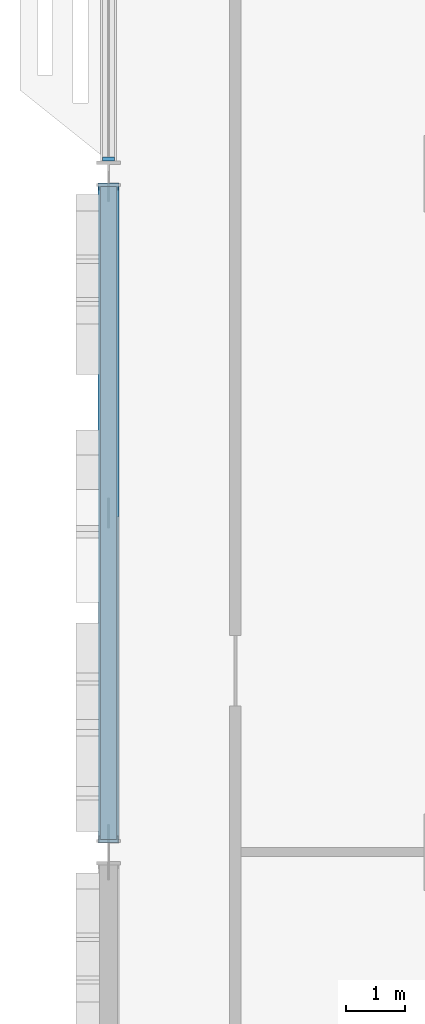
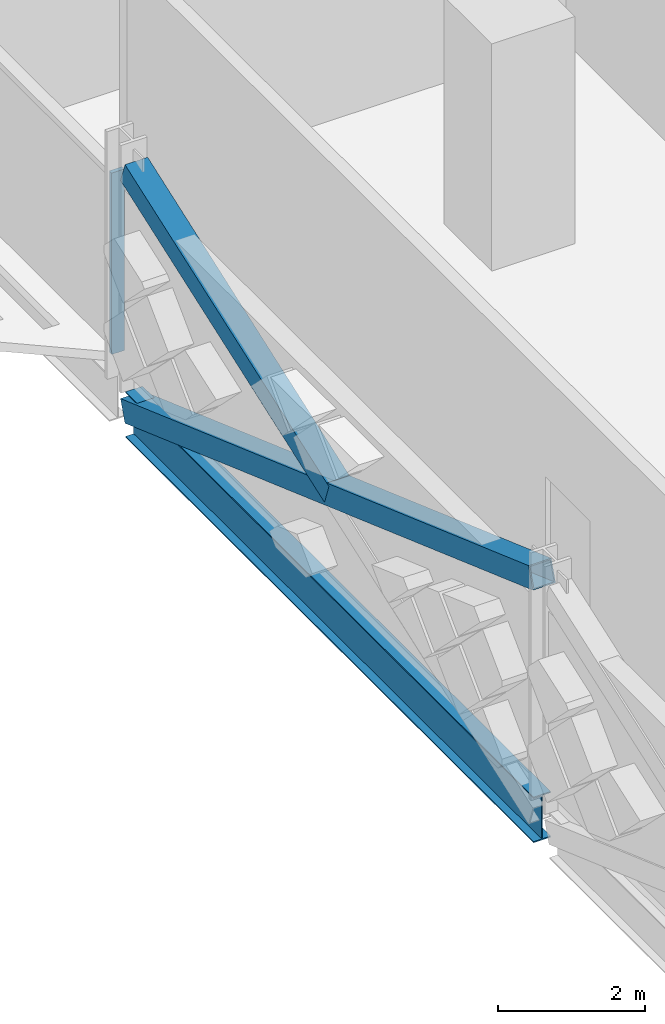
# One storey, part 4 of 29: 3 members, 1 beam, 1 element without a shape of its own.
"""IFC4 building model written with IfcOpenShell, lengths in metres."""

from ifc_helpers import new_model, si_unit, direction, frame, origin, origin_2d, place, context, subcontext, project, spatial, rectangle, hollow_rectangle, i_section, extrude, material, material_profile, profile_set, type_object, element, aggregate, save


model = new_model("IFC4")

# Units and contexts
model_context = context("Model", 3, precision=1e-05, world=origin(), true_north=direction((0.0, 1.0)))
body_context = subcontext(model_context, "Body", "Model", "MODEL_VIEW")
ifc_project = project(units=[si_unit("LENGTHUNIT", "METRE"), si_unit("AREAUNIT", "SQUARE_METRE"), si_unit("VOLUMEUNIT", "CUBIC_METRE"), si_unit("PLANEANGLEUNIT", "RADIAN"), si_unit("MASSUNIT", "GRAM", prefix="KILO")], contexts=[model_context])

# Site, building, storey
site_placement = place(None, origin())
site = spatial("IfcSite", under=ifc_project, at=site_placement, CompositionType="ELEMENT")
building_placement = place(site_placement, origin())
building = spatial("IfcBuilding", under=site, at=building_placement, Name="Mahtab Terrace Research Tower", CompositionType="ELEMENT")
storey_placement = place(building_placement, frame((0.0, 0.0, 146.60009765625)))
storey = spatial("IfcBuildingStorey", under=building, at=storey_placement, Name="L34", CompositionType="ELEMENT", Elevation=146.60009765625)

# Members
ifc_material_1 = material(Name="Steel ASTM A500 Gr C", Category="steel")
ifc_material_profile_1 = material_profile(ifc_material_1, hollow_rectangle(XDim=0.355712890625, YDim=0.355712890625, WallThickness=0.01904296875, at=origin_2d()), Name="HSS14X14X3/4")
ifc_profile_set_1 = profile_set([ifc_material_profile_1], Name="Steel ASTM A500 Gr C")
member_type_1 = type_object("IfcMemberType", Name="HSS 14x14x3/4 brace XB141434", PredefinedType="BRACE", material=ifc_profile_set_1)
member_1_placement = place(storey_placement, frame((-48.0, 11.282958984375, -0.64111328125), z_axis=(0.0, -0.941931707836, 0.335804493379), x_axis=(1.0, 0.0, 0.0)))
element("IfcMember", 1, at=member_1_placement, inside=storey, type_object=member_type_1, Name="Exoskeleton brace L34 11 a", PredefinedType="BRACE", context=body_context, shape_type="SweptSolid", body=[
    extrude(hollow_rectangle(XDim=0.355712890625, YDim=0.355712890625, WallThickness=0.01904296875, at=origin_2d()), origin(), (0.0, 0.0, 1.0), 11.748046875),
])
member_2_placement = place(storey_placement, frame((-48.0, 5.75, 1.33154296875), z_axis=(0.0, 0.941938280918, 0.335786055312), x_axis=(-1.0, 0.0, 0.0)))
element("IfcMember", 2, at=member_2_placement, inside=storey, type_object=member_type_1, Name="Exoskeleton brace L34 11 b2", PredefinedType="BRACE", context=body_context, shape_type="SweptSolid", body=[
    extrude(hollow_rectangle(XDim=0.355712890625, YDim=0.355712890625, WallThickness=0.01904296875, at=origin_2d()), origin(), (0.0, 0.0, 1.0), 5.8740234375),
])

# Curtain wall, member
ifc_material_2 = material(Name="Laboratory ribbon curtain wall")
curtain_wall_type = type_object("IfcCurtainWallType", Name="Laboratory ribbon curtain wall", PredefinedType="NOTDEFINED", material=ifc_material_2)
curtain_wall_placement = place(storey_placement, origin())
curtain_wall = element("IfcCurtainWall", 3, at=curtain_wall_placement, inside=storey, type_object=curtain_wall_type, Name="EN.L34.8.16", PredefinedType="NOTDEFINED")
ifc_material_3 = material(Name="Natural anodised aluminium", Category="aluminium")
ifc_material_profile_2 = material_profile(ifc_material_3, rectangle(XDim=0.199951171875, YDim=0.06494140625, at=origin_2d()), Name="MULLION 65x200")
ifc_profile_set_2 = profile_set([ifc_material_profile_2], Name="Natural anodised aluminium")
member_type_2 = type_object("IfcMemberType", Name="Laboratory ribbon curtain wall mullion", PredefinedType="MULLION", material=ifc_profile_set_2)
member_3_placement = place(storey_placement, frame((-48.0, 11.75048828125, 0.0), z_axis=(0.0, 0.0, 1.0), x_axis=(1.0, 0.0, 0.0)))
member_3 = element("IfcMember", 4, at=member_3_placement, type_object=member_type_2, Name="CWL-4 mullion 2", PredefinedType="MULLION", context=body_context, shape_type="SweptSolid", body=[
    extrude(rectangle(XDim=0.199951171875, YDim=0.06494140625, at=origin_2d()), origin(), (0.0, 0.0, 1.0), 3.0029296875),
])
aggregate(curtain_wall, [member_3])

# Beam
ifc_material_4 = material(Name="Steel ASTM A992 Gr 50", Category="steel")
ifc_material_profile_3 = material_profile(ifc_material_4, i_section(OverallWidth=0.2666015625, OverallDepth=0.7568359375, WebThickness=0.013916015625, FlangeThickness=0.019287109375, at=origin_2d()), Name="W30X108")
ifc_profile_set_3 = profile_set([ifc_material_profile_3], Name="Steel ASTM A992 Gr 50")
beam_type = type_object("IfcBeamType", Name="W30x108 beam BS30108", PredefinedType="BEAM", material=ifc_profile_set_3)
beam_placement = place(storey_placement, frame((-48.0, 11.282958984375, -0.718505859375), z_axis=(0.0, -1.0, 0.0), x_axis=(1.0, 0.0, 0.0)))
element("IfcBeam", 5, at=beam_placement, inside=storey, type_object=beam_type, Name="Spandrel beam L34 11", PredefinedType="BEAM", context=body_context, shape_type="SweptSolid", body=[
    extrude(i_section(OverallWidth=0.2666015625, OverallDepth=0.7568359375, WebThickness=0.013916015625, FlangeThickness=0.019287109375, at=origin_2d()), origin(), (0.0, 0.0, 1.0), 11.06591796875),
])

save(model, "model.ifc")
